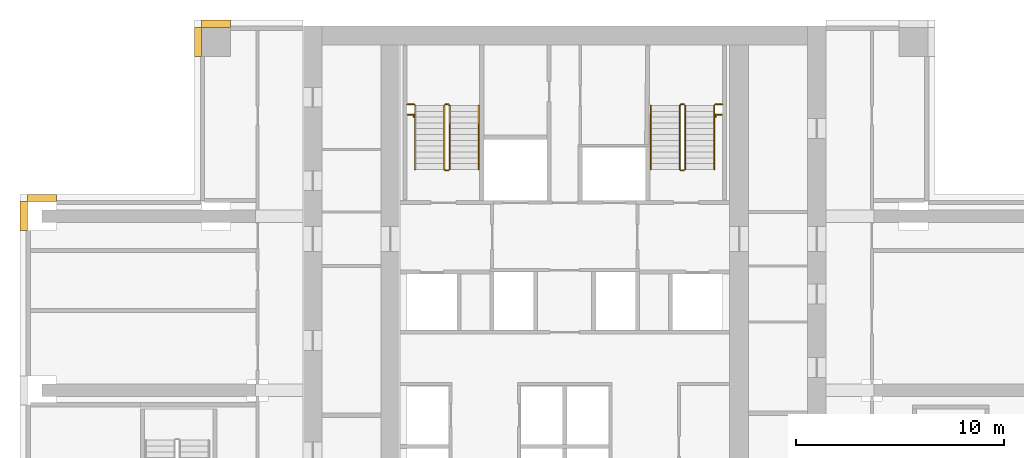
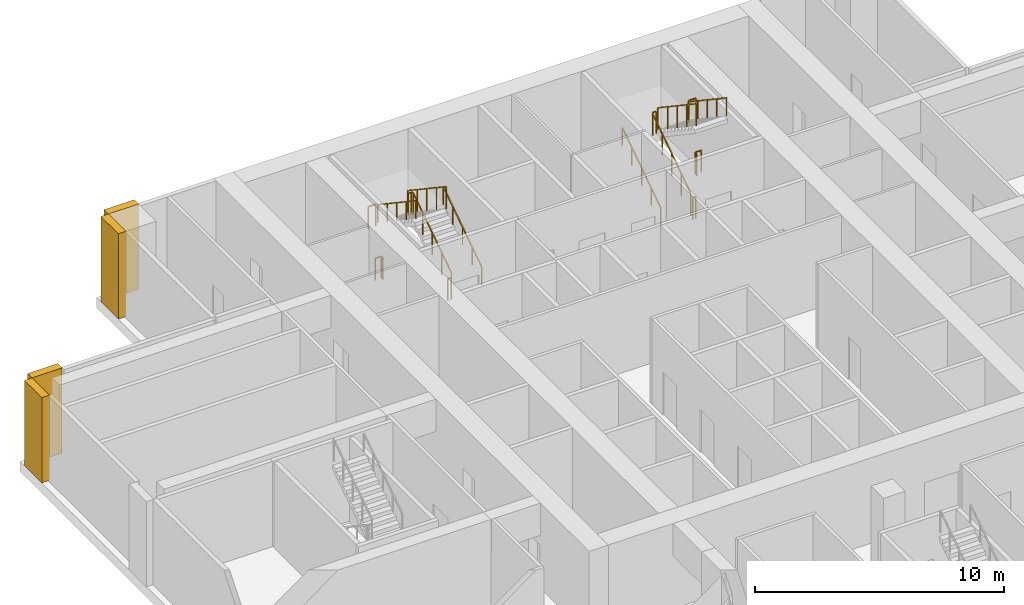
# One storey, part 10 of 11: 14 railings, 4 coverings.
"""IFC4 building model written with IfcOpenShell, lengths in metres."""

from ifc_helpers import new_model, si_unit, direction, frame, origin, origin_2d, place, context, subcontext, project, spatial, polyline, rectangle, outline, extrude, material, type_object, element, save


model = new_model("IFC4")

# Units and contexts
model_context = context("Model", 3, precision=1e-05, world=origin(), true_north=direction((0.0, 1.0)))
body_context = subcontext(model_context, "Body", "Model", "MODEL_VIEW")
ifc_project = project(units=[si_unit("LENGTHUNIT", "METRE"), si_unit("AREAUNIT", "SQUARE_METRE"), si_unit("VOLUMEUNIT", "CUBIC_METRE"), si_unit("PLANEANGLEUNIT", "RADIAN"), si_unit("MASSUNIT", "GRAM", prefix="KILO")], contexts=[model_context])

# Site, building, storey
site_placement = place(None, origin())
site = spatial("IfcSite", under=ifc_project, at=site_placement, CompositionType="ELEMENT")
building_placement = place(site_placement, origin())
building = spatial("IfcBuilding", under=site, at=building_placement, Name="Vermilion Ogive Tower", CompositionType="ELEMENT")
storey_placement = place(building_placement, frame((0.0, 0.0, 75.89990234375)))
storey = spatial("IfcBuildingStorey", under=building, at=storey_placement, Name="L18", CompositionType="ELEMENT", Elevation=75.89990234375)

# Railings
ifc_material_1 = material(Name="Steel S355 painted", Category="steel")
railing_type_1 = type_object("IfcRailingType", Name="Stair guard 1100", PredefinedType="GUARDRAIL", material=ifc_material_1)
railing_1_placement = place(storey_placement, frame((-5.550048828125, 14.85009765625, 0.1875)))
element("IfcRailing", 1, at=railing_1_placement, inside=storey, type_object=railing_type_1, Name="L18 ST1 stair guard 1", PredefinedType="GUARDRAIL", context=body_context, shape_type="SweptSolid", body=[
    extrude(rectangle(XDim=0.048095703125, YDim=0.048095703125, at=origin_2d()), frame((0.0, 0.0, 1.076171875), z_axis=(0.0, 0.830893310487, 0.556431762742), x_axis=(-1.0, 0.0, 0.0)), (0.0, 0.0, 1.0), 3.70654296875),
    extrude(rectangle(XDim=0.048095703125, YDim=0.048095703125, at=origin_2d()), frame((0.0, 3.079833984375, 3.138671875), z_axis=(-0.707106781187, 0.707106781187, 0.0), x_axis=(-0.707106781187, -0.707106781187, 0.0)), (0.0, 0.0, 1.0), 0.07080078125),
    extrude(rectangle(XDim=0.048095703125, YDim=0.048095703125, at=origin_2d()), frame((-0.050048828125, 3.1298828125, 3.138671875), z_axis=(-1.0, 0.0, 0.0), x_axis=(0.0, -1.0, 0.0)), (0.0, 0.0, 1.0), 0.14990234375),
    extrude(rectangle(XDim=0.0419921875, YDim=0.0419921875, at=origin_2d()), origin(), (0.0, 0.0, 1.0), 1.052001953125),
    extrude(rectangle(XDim=0.0419921875, YDim=0.0419921875, at=origin_2d()), frame((0.0, 0.77001953125, 0.515625)), (0.0, 0.0, 1.0), 1.052001953125),
    extrude(rectangle(XDim=0.0419921875, YDim=0.0419921875, at=origin_2d()), frame((0.0, 1.5400390625, 1.03125)), (0.0, 0.0, 1.0), 1.052001953125),
    extrude(rectangle(XDim=0.0419921875, YDim=0.0419921875, at=origin_2d()), frame((0.0, 2.309814453125, 1.546875)), (0.0, 0.0, 1.0), 1.052001953125),
    extrude(rectangle(XDim=0.0419921875, YDim=0.0419921875, at=origin_2d()), frame((0.0, 3.079833984375, 2.0625)), (0.0, 0.0, 1.0), 1.052001953125),
    extrude(rectangle(XDim=0.0419921875, YDim=0.0419921875, at=origin_2d()), frame((-0.050048828125, 3.1298828125, 2.0625)), (0.0, 0.0, 1.0), 1.052001953125),
    extrude(rectangle(XDim=0.0419921875, YDim=0.0419921875, at=origin_2d()), frame((-0.199951171875, 3.1298828125, 2.0625)), (0.0, 0.0, 1.0), 1.052001953125),
])
railing_2_placement = place(storey_placement, frame((-5.800048828125, 17.929931640625, 2.4375)))
element("IfcRailing", 2, at=railing_2_placement, inside=storey, type_object=railing_type_1, Name="L18 ST1 stair guard 3", PredefinedType="GUARDRAIL", context=body_context, shape_type="SweptSolid", body=[
    extrude(rectangle(XDim=0.048095703125, YDim=0.048095703125, at=origin_2d()), frame((0.0, 0.0, 1.076171875), z_axis=(0.0, -0.830893310487, 0.556431762742), x_axis=(1.0, 0.0, 0.0)), (0.0, 0.0, 1.0), 3.70654296875),
    extrude(rectangle(XDim=0.0419921875, YDim=0.0419921875, at=origin_2d()), origin(), (0.0, 0.0, 1.0), 1.052001953125),
    extrude(rectangle(XDim=0.0419921875, YDim=0.0419921875, at=origin_2d()), frame((0.0, -0.77001953125, 0.515625)), (0.0, 0.0, 1.0), 1.052001953125),
    extrude(rectangle(XDim=0.0419921875, YDim=0.0419921875, at=origin_2d()), frame((0.0, -1.5400390625, 1.03125)), (0.0, 0.0, 1.0), 1.052001953125),
    extrude(rectangle(XDim=0.0419921875, YDim=0.0419921875, at=origin_2d()), frame((0.0, -2.309814453125, 1.546875)), (0.0, 0.0, 1.0), 1.052001953125),
    extrude(rectangle(XDim=0.0419921875, YDim=0.0419921875, at=origin_2d()), frame((0.0, -3.079833984375, 2.0625)), (0.0, 0.0, 1.0), 1.052001953125),
])
railing_3_placement = place(storey_placement, frame((-5.60009765625, 14.800048828125, 0.0)))
element("IfcRailing", 3, at=railing_3_placement, inside=storey, type_object=railing_type_1, Name="L18 ST1 stair guard 4", PredefinedType="GUARDRAIL", context=body_context, shape_type="SweptSolid", body=[
    extrude(rectangle(XDim=0.048095703125, YDim=0.048095703125, at=origin_2d()), frame((0.0, 0.0, 1.076171875), z_axis=(-1.0, 0.0, 0.0), x_axis=(0.0, -1.0, 0.0)), (0.0, 0.0, 1.0), 0.14990234375),
    extrude(rectangle(XDim=0.0419921875, YDim=0.0419921875, at=origin_2d()), origin(), (0.0, 0.0, 1.0), 1.052001953125),
    extrude(rectangle(XDim=0.0419921875, YDim=0.0419921875, at=origin_2d()), frame((-0.14990234375, 0.0, 0.0)), (0.0, 0.0, 1.0), 1.052001953125),
])
railing_4_placement = place(storey_placement, frame((5.550048828125, 14.85009765625, 0.1875)))
element("IfcRailing", 4, at=railing_4_placement, inside=storey, type_object=railing_type_1, Name="L18 ST2 stair guard 1", PredefinedType="GUARDRAIL", context=body_context, shape_type="SweptSolid", body=[
    extrude(rectangle(XDim=0.048095703125, YDim=0.048095703125, at=origin_2d()), frame((0.0, 0.0, 1.076171875), z_axis=(0.0, 0.830893310487, 0.556431762742), x_axis=(-1.0, 0.0, 0.0)), (0.0, 0.0, 1.0), 3.70654296875),
    extrude(rectangle(XDim=0.048095703125, YDim=0.048095703125, at=origin_2d()), frame((0.0, 3.079833984375, 3.138671875), z_axis=(0.707106781187, 0.707106781187, 0.0), x_axis=(-0.707106781187, 0.707106781187, 0.0)), (0.0, 0.0, 1.0), 0.07080078125),
    extrude(rectangle(XDim=0.048095703125, YDim=0.048095703125, at=origin_2d()), frame((0.050048828125, 3.1298828125, 3.138671875), z_axis=(1.0, 0.0, 0.0), x_axis=(0.0, 1.0, 0.0)), (0.0, 0.0, 1.0), 0.14990234375),
    extrude(rectangle(XDim=0.0419921875, YDim=0.0419921875, at=origin_2d()), origin(), (0.0, 0.0, 1.0), 1.052001953125),
    extrude(rectangle(XDim=0.0419921875, YDim=0.0419921875, at=origin_2d()), frame((0.0, 0.77001953125, 0.515625)), (0.0, 0.0, 1.0), 1.052001953125),
    extrude(rectangle(XDim=0.0419921875, YDim=0.0419921875, at=origin_2d()), frame((0.0, 1.5400390625, 1.03125)), (0.0, 0.0, 1.0), 1.052001953125),
    extrude(rectangle(XDim=0.0419921875, YDim=0.0419921875, at=origin_2d()), frame((0.0, 2.309814453125, 1.546875)), (0.0, 0.0, 1.0), 1.052001953125),
    extrude(rectangle(XDim=0.0419921875, YDim=0.0419921875, at=origin_2d()), frame((0.0, 3.079833984375, 2.0625)), (0.0, 0.0, 1.0), 1.052001953125),
    extrude(rectangle(XDim=0.0419921875, YDim=0.0419921875, at=origin_2d()), frame((0.050048828125, 3.1298828125, 2.0625)), (0.0, 0.0, 1.0), 1.052001953125),
    extrude(rectangle(XDim=0.0419921875, YDim=0.0419921875, at=origin_2d()), frame((0.199951171875, 3.1298828125, 2.0625)), (0.0, 0.0, 1.0), 1.052001953125),
])
railing_5_placement = place(storey_placement, frame((5.800048828125, 17.929931640625, 2.4375)))
element("IfcRailing", 5, at=railing_5_placement, inside=storey, type_object=railing_type_1, Name="L18 ST2 stair guard 3", PredefinedType="GUARDRAIL", context=body_context, shape_type="SweptSolid", body=[
    extrude(rectangle(XDim=0.048095703125, YDim=0.048095703125, at=origin_2d()), frame((0.0, 0.0, 1.076171875), z_axis=(0.0, -0.830893310487, 0.556431762742), x_axis=(1.0, 0.0, 0.0)), (0.0, 0.0, 1.0), 3.70654296875),
    extrude(rectangle(XDim=0.0419921875, YDim=0.0419921875, at=origin_2d()), origin(), (0.0, 0.0, 1.0), 1.052001953125),
    extrude(rectangle(XDim=0.0419921875, YDim=0.0419921875, at=origin_2d()), frame((0.0, -0.77001953125, 0.515625)), (0.0, 0.0, 1.0), 1.052001953125),
    extrude(rectangle(XDim=0.0419921875, YDim=0.0419921875, at=origin_2d()), frame((0.0, -1.5400390625, 1.03125)), (0.0, 0.0, 1.0), 1.052001953125),
    extrude(rectangle(XDim=0.0419921875, YDim=0.0419921875, at=origin_2d()), frame((0.0, -2.309814453125, 1.546875)), (0.0, 0.0, 1.0), 1.052001953125),
    extrude(rectangle(XDim=0.0419921875, YDim=0.0419921875, at=origin_2d()), frame((0.0, -3.079833984375, 2.0625)), (0.0, 0.0, 1.0), 1.052001953125),
])
railing_6_placement = place(storey_placement, frame((5.60009765625, 14.800048828125, 0.0)))
element("IfcRailing", 6, at=railing_6_placement, inside=storey, type_object=railing_type_1, Name="L18 ST2 stair guard 4", PredefinedType="GUARDRAIL", context=body_context, shape_type="SweptSolid", body=[
    extrude(rectangle(XDim=0.048095703125, YDim=0.048095703125, at=origin_2d()), frame((0.0, 0.0, 1.076171875), z_axis=(1.0, 0.0, 0.0), x_axis=(0.0, 1.0, 0.0)), (0.0, 0.0, 1.0), 0.14990234375),
    extrude(rectangle(XDim=0.0419921875, YDim=0.0419921875, at=origin_2d()), origin(), (0.0, 0.0, 1.0), 1.052001953125),
    extrude(rectangle(XDim=0.0419921875, YDim=0.0419921875, at=origin_2d()), frame((0.14990234375, 0.0, 0.0)), (0.0, 0.0, 1.0), 1.052001953125),
])
for number, where, name in (
    (7, (-7.60009765625, 17.97998046875, 2.25), "L18 landing guard"),
    (8, (7.25, 17.97998046875, 2.25), "L18 landing guard"),
):
    element("IfcRailing", number, at=place(storey_placement, frame(where)), inside=storey, type_object=railing_type_1, Name=name, PredefinedType="GUARDRAIL", context=body_context, shape_type="SweptSolid", body=[
        extrude(rectangle(XDim=0.048095703125, YDim=0.048095703125, at=origin_2d()), frame((0.0, 0.0, 1.076171875), z_axis=(1.0, 0.0, 0.0), x_axis=(0.0, 1.0, 0.0)), (0.0, 0.0, 1.0), 0.35009765625),
        extrude(rectangle(XDim=0.0419921875, YDim=0.0419921875, at=origin_2d()), origin(), (0.0, 0.0, 1.0), 1.052001953125),
        extrude(rectangle(XDim=0.0419921875, YDim=0.0419921875, at=origin_2d()), frame((0.35009765625, 0.0, 0.0)), (0.0, 0.0, 1.0), 1.052001953125),
    ])
railing_7_placement = place(storey_placement, frame((-7.56298828125, 17.49462890625, 0.0)))
element("IfcRailing", 9, at=railing_7_placement, inside=storey, type_object=railing_type_1, Name="L18 stair opening guard", PredefinedType="GUARDRAIL", context=body_context, shape_type="SweptSolid", body=[
    extrude(rectangle(XDim=0.048095703125, YDim=0.048095703125, at=origin_2d()), frame((0.0, 0.0, 1.076171875), z_axis=(1.0, 0.0, 0.0), x_axis=(0.0, 1.0, 0.0)), (0.0, 0.0, 1.0), 0.2900390625),
    extrude(rectangle(XDim=0.048095703125, YDim=0.048095703125, at=origin_2d()), frame((0.2900390625, 0.0, 1.076171875), z_axis=(0.0, -1.0, 0.0), x_axis=(1.0, 0.0, 0.0)), (0.0, 0.0, 1.0), 0.1201171875),
    extrude(rectangle(XDim=0.0419921875, YDim=0.0419921875, at=origin_2d()), origin(), (0.0, 0.0, 1.0), 1.052001953125),
    extrude(rectangle(XDim=0.0419921875, YDim=0.0419921875, at=origin_2d()), frame((0.2900390625, 0.0, 0.0)), (0.0, 0.0, 1.0), 1.052001953125),
    extrude(rectangle(XDim=0.0419921875, YDim=0.0419921875, at=origin_2d()), frame((0.2900390625, -0.1201171875, 0.0)), (0.0, 0.0, 1.0), 1.052001953125),
])
railing_8_placement = place(storey_placement, frame((7.27294921875, 17.37451171875, 0.0)))
element("IfcRailing", 10, at=railing_8_placement, inside=storey, type_object=railing_type_1, Name="L18 stair opening guard", PredefinedType="GUARDRAIL", context=body_context, shape_type="SweptSolid", body=[
    extrude(rectangle(XDim=0.048095703125, YDim=0.048095703125, at=origin_2d()), frame((0.0, 0.0, 1.076171875), z_axis=(0.0, 1.0, 0.0), x_axis=(-1.0, 0.0, 0.0)), (0.0, 0.0, 1.0), 0.1201171875),
    extrude(rectangle(XDim=0.048095703125, YDim=0.048095703125, at=origin_2d()), frame((0.0, 0.1201171875, 1.076171875), z_axis=(1.0, 0.0, 0.0), x_axis=(0.0, 1.0, 0.0)), (0.0, 0.0, 1.0), 0.2900390625),
    extrude(rectangle(XDim=0.0419921875, YDim=0.0419921875, at=origin_2d()), origin(), (0.0, 0.0, 1.0), 1.052001953125),
    extrude(rectangle(XDim=0.0419921875, YDim=0.0419921875, at=origin_2d()), frame((0.0, 0.1201171875, 0.0)), (0.0, 0.0, 1.0), 1.052001953125),
    extrude(rectangle(XDim=0.0419921875, YDim=0.0419921875, at=origin_2d()), frame((0.2900390625, 0.1201171875, 0.0)), (0.0, 0.0, 1.0), 1.052001953125),
])
ifc_material_2 = material(Name="Stainless steel", Category="steel")
railing_type_2 = type_object("IfcRailingType", Name="Stair handrail 900", PredefinedType="HANDRAIL", material=ifc_material_2)
railing_9_placement = place(storey_placement, frame((-4.14990234375, 14.85009765625, 0.1875)))
element("IfcRailing", 11, at=railing_9_placement, inside=storey, type_object=railing_type_2, Name="L18 ST1 stair handrail 1", PredefinedType="HANDRAIL", context=body_context, shape_type="SweptSolid", body=[
    extrude(rectangle(XDim=0.048095703125, YDim=0.048095703125, at=origin_2d()), frame((0.0, 0.0, 0.8759765625), z_axis=(0.0, 0.830893310487, 0.556431762742), x_axis=(-1.0, 0.0, 0.0)), (0.0, 0.0, 1.0), 3.70654296875),
    extrude(rectangle(XDim=0.0419921875, YDim=0.0419921875, at=origin_2d()), origin(), (0.0, 0.0, 1.0), 0.851806640625),
    extrude(rectangle(XDim=0.0419921875, YDim=0.0419921875, at=origin_2d()), frame((0.0, 0.77001953125, 0.515625)), (0.0, 0.0, 1.0), 0.851806640625),
    extrude(rectangle(XDim=0.0419921875, YDim=0.0419921875, at=origin_2d()), frame((0.0, 1.5400390625, 1.03125)), (0.0, 0.0, 1.0), 0.851806640625),
    extrude(rectangle(XDim=0.0419921875, YDim=0.0419921875, at=origin_2d()), frame((0.0, 2.309814453125, 1.546875)), (0.0, 0.0, 1.0), 0.851806640625),
    extrude(rectangle(XDim=0.0419921875, YDim=0.0419921875, at=origin_2d()), frame((0.0, 3.079833984375, 2.0625)), (0.0, 0.0, 1.0), 0.851806640625),
])
railing_10_placement = place(storey_placement, frame((-7.199951171875, 17.929931640625, 2.4375)))
element("IfcRailing", 12, at=railing_10_placement, inside=storey, type_object=railing_type_2, Name="L18 ST1 stair handrail 2", PredefinedType="HANDRAIL", context=body_context, shape_type="SweptSolid", body=[
    extrude(rectangle(XDim=0.048095703125, YDim=0.048095703125, at=origin_2d()), frame((0.0, 0.0, 0.8759765625), z_axis=(0.0, -0.830893310487, 0.556431762742), x_axis=(1.0, 0.0, 0.0)), (0.0, 0.0, 1.0), 3.70654296875),
    extrude(rectangle(XDim=0.0419921875, YDim=0.0419921875, at=origin_2d()), origin(), (0.0, 0.0, 1.0), 0.851806640625),
    extrude(rectangle(XDim=0.0419921875, YDim=0.0419921875, at=origin_2d()), frame((0.0, -0.77001953125, 0.515625)), (0.0, 0.0, 1.0), 0.851806640625),
    extrude(rectangle(XDim=0.0419921875, YDim=0.0419921875, at=origin_2d()), frame((0.0, -1.5400390625, 1.03125)), (0.0, 0.0, 1.0), 0.851806640625),
    extrude(rectangle(XDim=0.0419921875, YDim=0.0419921875, at=origin_2d()), frame((0.0, -2.309814453125, 1.546875)), (0.0, 0.0, 1.0), 0.851806640625),
    extrude(rectangle(XDim=0.0419921875, YDim=0.0419921875, at=origin_2d()), frame((0.0, -3.079833984375, 2.0625)), (0.0, 0.0, 1.0), 0.851806640625),
])
railing_11_placement = place(storey_placement, frame((4.14990234375, 14.85009765625, 0.1875)))
element("IfcRailing", 13, at=railing_11_placement, inside=storey, type_object=railing_type_2, Name="L18 ST2 stair handrail 1", PredefinedType="HANDRAIL", context=body_context, shape_type="SweptSolid", body=[
    extrude(rectangle(XDim=0.048095703125, YDim=0.048095703125, at=origin_2d()), frame((0.0, 0.0, 0.8759765625), z_axis=(0.0, 0.830893310487, 0.556431762742), x_axis=(-1.0, 0.0, 0.0)), (0.0, 0.0, 1.0), 3.70654296875),
    extrude(rectangle(XDim=0.0419921875, YDim=0.0419921875, at=origin_2d()), origin(), (0.0, 0.0, 1.0), 0.851806640625),
    extrude(rectangle(XDim=0.0419921875, YDim=0.0419921875, at=origin_2d()), frame((0.0, 0.77001953125, 0.515625)), (0.0, 0.0, 1.0), 0.851806640625),
    extrude(rectangle(XDim=0.0419921875, YDim=0.0419921875, at=origin_2d()), frame((0.0, 1.5400390625, 1.03125)), (0.0, 0.0, 1.0), 0.851806640625),
    extrude(rectangle(XDim=0.0419921875, YDim=0.0419921875, at=origin_2d()), frame((0.0, 2.309814453125, 1.546875)), (0.0, 0.0, 1.0), 0.851806640625),
    extrude(rectangle(XDim=0.0419921875, YDim=0.0419921875, at=origin_2d()), frame((0.0, 3.079833984375, 2.0625)), (0.0, 0.0, 1.0), 0.851806640625),
])
railing_12_placement = place(storey_placement, frame((7.199951171875, 17.929931640625, 2.4375)))
element("IfcRailing", 14, at=railing_12_placement, inside=storey, type_object=railing_type_2, Name="L18 ST2 stair handrail 2", PredefinedType="HANDRAIL", context=body_context, shape_type="SweptSolid", body=[
    extrude(rectangle(XDim=0.048095703125, YDim=0.048095703125, at=origin_2d()), frame((0.0, 0.0, 0.8759765625), z_axis=(0.0, -0.830893310487, 0.556431762742), x_axis=(1.0, 0.0, 0.0)), (0.0, 0.0, 1.0), 3.70654296875),
    extrude(rectangle(XDim=0.0419921875, YDim=0.0419921875, at=origin_2d()), origin(), (0.0, 0.0, 1.0), 0.851806640625),
    extrude(rectangle(XDim=0.0419921875, YDim=0.0419921875, at=origin_2d()), frame((0.0, -0.77001953125, 0.515625)), (0.0, 0.0, 1.0), 0.851806640625),
    extrude(rectangle(XDim=0.0419921875, YDim=0.0419921875, at=origin_2d()), frame((0.0, -1.5400390625, 1.03125)), (0.0, 0.0, 1.0), 0.851806640625),
    extrude(rectangle(XDim=0.0419921875, YDim=0.0419921875, at=origin_2d()), frame((0.0, -2.309814453125, 1.546875)), (0.0, 0.0, 1.0), 0.851806640625),
    extrude(rectangle(XDim=0.0419921875, YDim=0.0419921875, at=origin_2d()), frame((0.0, -3.079833984375, 2.0625)), (0.0, 0.0, 1.0), 0.851806640625),
])

# Coverings
ifc_material_3 = material(Name="Stone cladding", Category="masonry")
covering_type = type_object("IfcCoveringType", Name="Stone pier", PredefinedType="CLADDING", material=ifc_material_3)
covering_1_placement = place(storey_placement, origin())
element("IfcCovering", 15, at=covering_1_placement, inside=storey, type_object=covering_type, Name="Stone pier P-0168+210N2", PredefinedType="CLADDING", context=body_context, shape_type="SweptSolid", body=[
    extrude(outline(polyline([(-17.5, 21.699951171875), (-17.5, 22.050048828125), (-16.10009765625, 22.050048828125), (-16.10009765625, 21.699951171875), (-17.5, 21.699951171875), (-17.5, 21.699951171875)])), origin(), (0.0, 0.0, 1.0), 4.18017578125),
])
covering_2_placement = place(storey_placement, origin())
element("IfcCovering", 16, at=covering_2_placement, inside=storey, type_object=covering_type, Name="Stone pier P-0168+210X5", PredefinedType="CLADDING", context=body_context, shape_type="SweptSolid", body=[
    extrude(outline(polyline([(-17.85009765625, 21.699951171875), (-17.5, 21.699951171875), (-17.5, 21.699951171875), (-17.5, 20.300048828125), (-17.85009765625, 20.300048828125), (-17.85009765625, 21.699951171875)])), origin(), (0.0, 0.0, 1.0), 4.18017578125),
])
covering_3_placement = place(storey_placement, origin())
element("IfcCovering", 17, at=covering_3_placement, inside=storey, type_object=covering_type, Name="Stone pier P-0252+126X6", PredefinedType="CLADDING", context=body_context, shape_type="SweptSolid", body=[
    extrude(outline(polyline([(-25.89990234375, 13.300048828125), (-25.89990234375, 13.64990234375), (-24.5, 13.64990234375), (-24.5, 13.300048828125), (-24.5, 13.300048828125), (-25.89990234375, 13.300048828125)])), origin(), (0.0, 0.0, 1.0), 4.18017578125),
])
covering_4_placement = place(storey_placement, origin())
element("IfcCovering", 18, at=covering_4_placement, inside=storey, type_object=covering_type, Name="Stone pier P-0252+126W", PredefinedType="CLADDING", context=body_context, shape_type="SweptSolid", body=[
    extrude(outline(polyline([(-26.25, 13.300048828125), (-25.89990234375, 13.300048828125), (-25.89990234375, 11.89990234375), (-26.25, 11.89990234375), (-26.25, 13.300048828125)])), origin(), (0.0, 0.0, 1.0), 4.18017578125),
])

save(model, "model.ifc")
